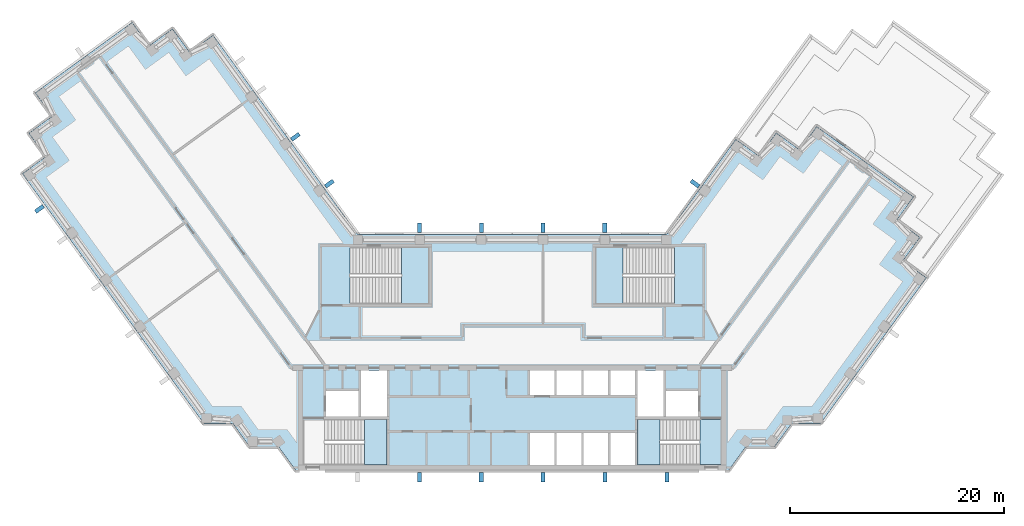
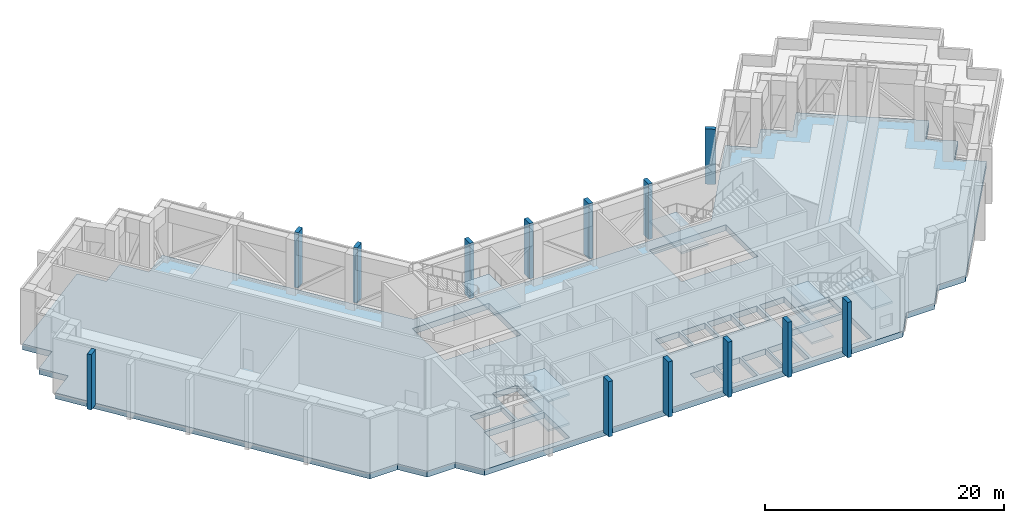
# One storey, part 4 of 16: 13 plates, 8 slabs, 4 elements without a shape of their own.
"""IFC4 building model written with IfcOpenShell, lengths in metres."""

from ifc_helpers import new_model, si_unit, direction, frame, origin, origin_2d, place, context, subcontext, project, spatial, polyline, rectangle, outline, extrude, material, layer, layer_set, type_object, element, aggregate, save


model = new_model("IFC4")

# Units and contexts
model_context = context("Model", 3, precision=1e-05, world=origin(), true_north=direction((0.0, 1.0)))
body_context = subcontext(model_context, "Body", "Model", "MODEL_VIEW")
ifc_project = project(units=[si_unit("LENGTHUNIT", "METRE"), si_unit("AREAUNIT", "SQUARE_METRE"), si_unit("VOLUMEUNIT", "CUBIC_METRE"), si_unit("PLANEANGLEUNIT", "RADIAN"), si_unit("MASSUNIT", "GRAM", prefix="KILO")], contexts=[model_context])

# Site, building, storey
site_placement = place(None, origin())
site = spatial("IfcSite", under=ifc_project, at=site_placement, CompositionType="ELEMENT")
building_placement = place(site_placement, origin())
building = spatial("IfcBuilding", under=site, at=building_placement, Name="Quipu Civic Tower", CompositionType="ELEMENT")
storey_placement = place(building_placement, frame((0.0, 0.0, 188.0)))
storey = spatial("IfcBuildingStorey", under=building, at=storey_placement, Name="L44", CompositionType="ELEMENT", Elevation=188.0)

# Slab
ifc_material_1 = material(Name="Concrete C40/50", Category="concrete")
ifc_layer_1 = layer(ifc_material_1, 0.60009765625)
ifc_layer_set_1 = layer_set([ifc_layer_1], Name="Concrete C40/50")
slab_type_1 = type_object("IfcSlabType", Name="Floor slab 600 C40/50", PredefinedType="FLOOR", material=ifc_layer_set_1)
slab_1_placement = place(storey_placement, frame((0.0, 0.0, -0.60009765625)))
element("IfcSlab", 1, at=slab_1_placement, inside=storey, type_object=slab_type_1, Name="Floor slab L44", PredefinedType="FLOOR", context=body_context, shape_type="SweptSolid", body=[
    extrude(outline(polyline([(20.860107421875, 19.89501953125), (23.0400390625, 18.31005859375), (24.6298828125, 20.4951171875), (26.81494140625, 18.905029296875), (28.39990234375, 21.090087890625), (37.4599609375, 14.5048828125), (35.875, 12.320068359375), (38.06005859375, 10.735107421875), (36.469970703125, 8.550048828125), (38.655029296875, 6.965087890625), (28.780029296875, -6.6298828125), (26.080078125, -6.6298828125), (24.489990234375, -8.81494140625), (21.7900390625, -8.81494140625), (20.205078125, -11.0), (-20.205078125, -11.0), (-21.7900390625, -8.81494140625), (-24.489990234375, -8.81494140625), (-26.080078125, -6.6298828125), (-28.780029296875, -6.6298828125), (-45.7099609375, 16.669921875), (-43.52490234375, 18.260009765625), (-45.114990234375, 20.445068359375), (-42.929931640625, 22.030029296875), (-44.514892578125, 24.215087890625), (-35.455078125, 30.800048828125), (-33.864990234375, 28.614990234375), (-31.68505859375, 30.199951171875), (-30.094970703125, 28.014892578125), (-27.909912109375, 29.60498046875), (-14.39501953125, 11.0), (14.39501953125, 11.0), (20.860107421875, 19.89501953125)]), holes=[polyline([(1.64990234375, -7.5), (1.64990234375, -10.5), (3.949951171875, -10.5), (3.949951171875, -7.5), (1.64990234375, -7.5)]), polyline([(4.14990234375, -7.5), (4.14990234375, -10.5), (6.449951171875, -10.5), (6.449951171875, -7.5), (4.14990234375, -7.5)]), polyline([(-11.705078125, -6.2548828125), (-17.4951171875, -6.2548828125), (-17.4951171875, -10.4951171875), (-11.705078125, -10.4951171875), (-11.705078125, -6.2548828125)]), polyline([(-17.35009765625, -3.60009765625), (-17.35009765625, -6.0), (-14.35009765625, -6.0), (-14.35009765625, -3.60009765625), (-17.35009765625, -3.60009765625)]), polyline([(-14.10009765625, -1.699951171875), (-14.10009765625, -6.0), (-11.699951171875, -6.0), (-11.699951171875, -1.699951171875), (-14.10009765625, -1.699951171875)]), polyline([(1.64990234375, -1.699951171875), (1.64990234375, -4.0), (3.949951171875, -4.0), (3.949951171875, -1.699951171875), (1.64990234375, -1.699951171875)]), polyline([(4.14990234375, -1.699951171875), (4.14990234375, -4.0), (6.449951171875, -4.0), (6.449951171875, -1.699951171875), (4.14990234375, -1.699951171875)]), polyline([(-7.7548828125, 9.844970703125), (-15.14501953125, 9.844970703125), (-15.14501953125, 4.5048828125), (-7.7548828125, 4.5048828125), (-7.7548828125, 9.844970703125)]), polyline([(6.64990234375, -7.5), (6.64990234375, -10.5), (8.949951171875, -10.5), (8.949951171875, -7.5), (6.64990234375, -7.5)]), polyline([(9.14990234375, -7.5), (9.14990234375, -10.5), (11.449951171875, -10.5), (11.449951171875, -7.5), (9.14990234375, -7.5)]), polyline([(11.705078125, -10.4951171875), (17.4951171875, -10.4951171875), (17.4951171875, -6.2548828125), (11.705078125, -6.2548828125), (11.705078125, -10.4951171875)]), polyline([(14.35009765625, -3.60009765625), (14.35009765625, -6.0), (17.35009765625, -6.0), (17.35009765625, -3.60009765625), (14.35009765625, -3.60009765625)]), polyline([(11.699951171875, -1.699951171875), (11.699951171875, -6.0), (14.10009765625, -6.0), (14.10009765625, -1.699951171875), (11.699951171875, -1.699951171875)]), polyline([(6.64990234375, -1.699951171875), (6.64990234375, -4.0), (8.949951171875, -4.0), (8.949951171875, -1.699951171875), (6.64990234375, -1.699951171875)]), polyline([(9.14990234375, -1.699951171875), (9.14990234375, -4.0), (11.449951171875, -4.0), (11.449951171875, -1.699951171875), (9.14990234375, -1.699951171875)]), polyline([(7.7548828125, 4.5048828125), (15.14501953125, 4.5048828125), (15.14501953125, 9.844970703125), (7.7548828125, 9.844970703125), (7.7548828125, 4.5048828125)])]), origin(), (0.0, 0.0, 1.0), 0.60009765625),
])

# Plates
ifc_material_2 = material(Name="Precast concrete C40/50", Category="concrete")
plate_type = type_object("IfcPlateType", Name="Precast fin F2", PredefinedType="SHEET", material=ifc_material_2)
for number, where, z_axis, x_axis, name in (
    (2, (-17.052978515625, 15.74365234375, 0.0), (0.0, 0.0, 1.0), (-0.587787133119, 0.809015627871, 0.0), "Precast fin F2 L44.1.1"),
    (3, (-20.22705078125, 20.1123046875, 0.0), (0.0, 0.0, 1.0), (-0.587787133119, 0.809015627871, 0.0), "Precast fin F2 L44.1.2"),
    (4, (-44.1083984375, 13.3828125, 0.0), (0.0, 0.0, 1.0), (0.587785620359, -0.809016726959, 0.0), "Precast fin F2 L44.11.1"),
    (5, (-8.658935546875, -11.637939453125, 0.0), (0.0, 0.0, 1.0), (1.0, 0.0, 0.0), "Precast fin F2 L44.17.2"),
    (6, (-2.885986328125, -11.637939453125, 0.0), (0.0, 0.0, 1.0), (1.0, 0.0, 0.0), "Precast fin F2 L44.17.3"),
    (7, (2.885986328125, -11.637939453125, 0.0), (0.0, 0.0, 1.0), (1.0, 0.0, 0.0), "Precast fin F2 L44.17.4"),
    (8, (8.658935546875, -11.637939453125, 0.0), (0.0, 0.0, 1.0), (1.0, 0.0, 0.0), "Precast fin F2 L44.17.5"),
    (9, (14.431884765625, -11.637939453125, 0.0), (0.0, 0.0, 1.0), (1.0, 0.0, 0.0), "Precast fin F2 L44.17.6"),
    (10, (17.05322265625, 15.743896484375, 0.0), (0.0, 0.0, 1.0), (-0.58778443384, -0.809017589015, 0.0), "Precast fin F2 L44.35.1"),
    (11, (8.63720703125, 11.637939453125, 0.0), (0.0, 0.0, 1.0), (-1.0, 0.0, 0.0), "Precast fin F2 L44.36.1"),
    (12, (2.879150390625, 11.637939453125, 0.0), (0.0, 0.0, 1.0), (-1.0, 0.0, 0.0), "Precast fin F2 L44.36.2"),
    (13, (-2.87890625, 11.637939453125, 0.0), (0.0, 0.0, 1.0), (-1.0, 0.0, 0.0), "Precast fin F2 L44.36.3"),
    (14, (-8.63671875, 11.637939453125, 0.0), (0.0, 0.0, 1.0), (-1.0, 0.0, 0.0), "Precast fin F2 L44.36.4"),
):
    element("IfcPlate", number, at=place(storey_placement, frame(where, z_axis=z_axis, x_axis=x_axis)), inside=storey, type_object=plate_type, Name=name, PredefinedType="SHEET", context=body_context, shape_type="SweptSolid", body=[
        extrude(rectangle(XDim=0.3798828125, YDim=0.89990234375, at=origin_2d()), origin(), (0.0, 0.0, 1.0), 5.64990234375),
    ])

# Stair, slabs
ifc_material_3 = material(Name="Concrete C40/50", Category="concrete")
stair_type_1 = type_object("IfcStairType", Name="Half turn stair 2000", PredefinedType="HALF_TURN_STAIR", material=ifc_material_3)
stair_1_placement = place(storey_placement, origin())
stair_1 = element("IfcStair", 15, at=stair_1_placement, inside=storey, type_object=stair_type_1, Name="Exit stair 1", PredefinedType="HALF_TURN_STAIR")
ifc_material_4 = material(Name="Concrete C40/50", Category="concrete")
ifc_layer_2 = layer(ifc_material_4, 0.199951171875)
ifc_layer_set_2 = layer_set([ifc_layer_2], Name="Concrete C40/50")
slab_type_2 = type_object("IfcSlabType", Name="Stair landing 200", PredefinedType="LANDING", material=ifc_layer_set_2)
slab_2_placement = place(storey_placement, frame((0.0, 0.0, 1.300048828125)))
slab_2 = element("IfcSlab", 16, at=slab_2_placement, type_object=slab_type_2, Name="ST-1 landing 1", PredefinedType="LANDING", context=body_context, shape_type="SweptSolid", body=[
    extrude(outline(polyline([(-13.780029296875, -10.5), (-11.699951171875, -10.5), (-11.699951171875, -6.25), (-13.780029296875, -6.25), (-13.780029296875, -10.5)])), origin(), (0.0, 0.0, 1.0), 0.199951171875),
])
slab_3_placement = place(storey_placement, frame((0.0, 0.0, 4.300048828125)))
slab_3 = element("IfcSlab", 17, at=slab_3_placement, type_object=slab_type_2, Name="ST-1 landing 3", PredefinedType="LANDING", context=body_context, shape_type="SweptSolid", body=[
    extrude(outline(polyline([(-13.780029296875, -10.5), (-11.699951171875, -10.5), (-11.699951171875, -6.25), (-13.780029296875, -6.25), (-13.780029296875, -10.5)])), origin(), (0.0, 0.0, 1.0), 0.199951171875),
])
aggregate(stair_1, [slab_2, slab_3])

stair_2_placement = place(storey_placement, origin())
stair_2 = element("IfcStair", 18, at=stair_2_placement, inside=storey, type_object=stair_type_1, Name="Exit stair 2", PredefinedType="HALF_TURN_STAIR")
slab_4_placement = place(storey_placement, frame((0.0, 0.0, 1.300048828125)))
slab_4 = element("IfcSlab", 19, at=slab_4_placement, type_object=slab_type_2, Name="ST-2 landing 1", PredefinedType="LANDING", context=body_context, shape_type="SweptSolid", body=[
    extrude(outline(polyline([(13.780029296875, -6.25), (11.699951171875, -6.25), (11.699951171875, -10.5), (13.780029296875, -10.5), (13.780029296875, -6.25)])), origin(), (0.0, 0.0, 1.0), 0.199951171875),
])
slab_5_placement = place(storey_placement, frame((0.0, 0.0, 2.800048828125)))
slab_5 = element("IfcSlab", 20, at=slab_5_placement, type_object=slab_type_2, Name="ST-2 landing 2", PredefinedType="LANDING", context=body_context, shape_type="SweptSolid", body=[
    extrude(outline(polyline([(19.5, -6.25), (17.5, -6.25), (17.5, -10.5), (19.5, -10.5), (19.5, -6.25)])), origin(), (0.0, 0.0, 1.0), 0.199951171875),
])
slab_6_placement = place(storey_placement, frame((0.0, 0.0, 4.300048828125)))
slab_6 = element("IfcSlab", 21, at=slab_6_placement, type_object=slab_type_2, Name="ST-2 landing 3", PredefinedType="LANDING", context=body_context, shape_type="SweptSolid", body=[
    extrude(outline(polyline([(13.780029296875, -6.25), (11.699951171875, -6.25), (11.699951171875, -10.5), (13.780029296875, -10.5), (13.780029296875, -6.25)])), origin(), (0.0, 0.0, 1.0), 0.199951171875),
])
aggregate(stair_2, [slab_4, slab_5, slab_6])

# Stair, slab
ifc_material_5 = material(Name="Concrete C40/50", Category="concrete")
stair_type_2 = type_object("IfcStairType", Name="Half turn stair 2600", PredefinedType="HALF_TURN_STAIR", material=ifc_material_5)
stair_3_placement = place(storey_placement, origin())
stair_3 = element("IfcStair", 22, at=stair_3_placement, inside=storey, type_object=stair_type_2, Name="Exit stair 3", PredefinedType="HALF_TURN_STAIR")
slab_7_placement = place(storey_placement, frame((0.0, 0.0, 2.800048828125)))
slab_7 = element("IfcSlab", 23, at=slab_7_placement, type_object=slab_type_2, Name="ST-3 landing 1", PredefinedType="LANDING", context=body_context, shape_type="SweptSolid", body=[
    extrude(outline(polyline([(-10.35009765625, 4.5), (-7.75, 4.5), (-7.75, 9.85009765625), (-10.35009765625, 9.85009765625), (-10.35009765625, 4.5)])), origin(), (0.0, 0.0, 1.0), 0.199951171875),
])
aggregate(stair_3, [slab_7])

stair_4_placement = place(storey_placement, origin())
stair_4 = element("IfcStair", 24, at=stair_4_placement, inside=storey, type_object=stair_type_2, Name="Exit stair 4", PredefinedType="HALF_TURN_STAIR")
slab_8_placement = place(storey_placement, frame((0.0, 0.0, 2.800048828125)))
slab_8 = element("IfcSlab", 25, at=slab_8_placement, type_object=slab_type_2, Name="ST-4 landing 1", PredefinedType="LANDING", context=body_context, shape_type="SweptSolid", body=[
    extrude(outline(polyline([(10.35009765625, 9.85009765625), (7.75, 9.85009765625), (7.75, 4.5), (10.35009765625, 4.5), (10.35009765625, 9.85009765625)])), origin(), (0.0, 0.0, 1.0), 0.199951171875),
])
aggregate(stair_4, [slab_8])

save(model, "model.ifc")
